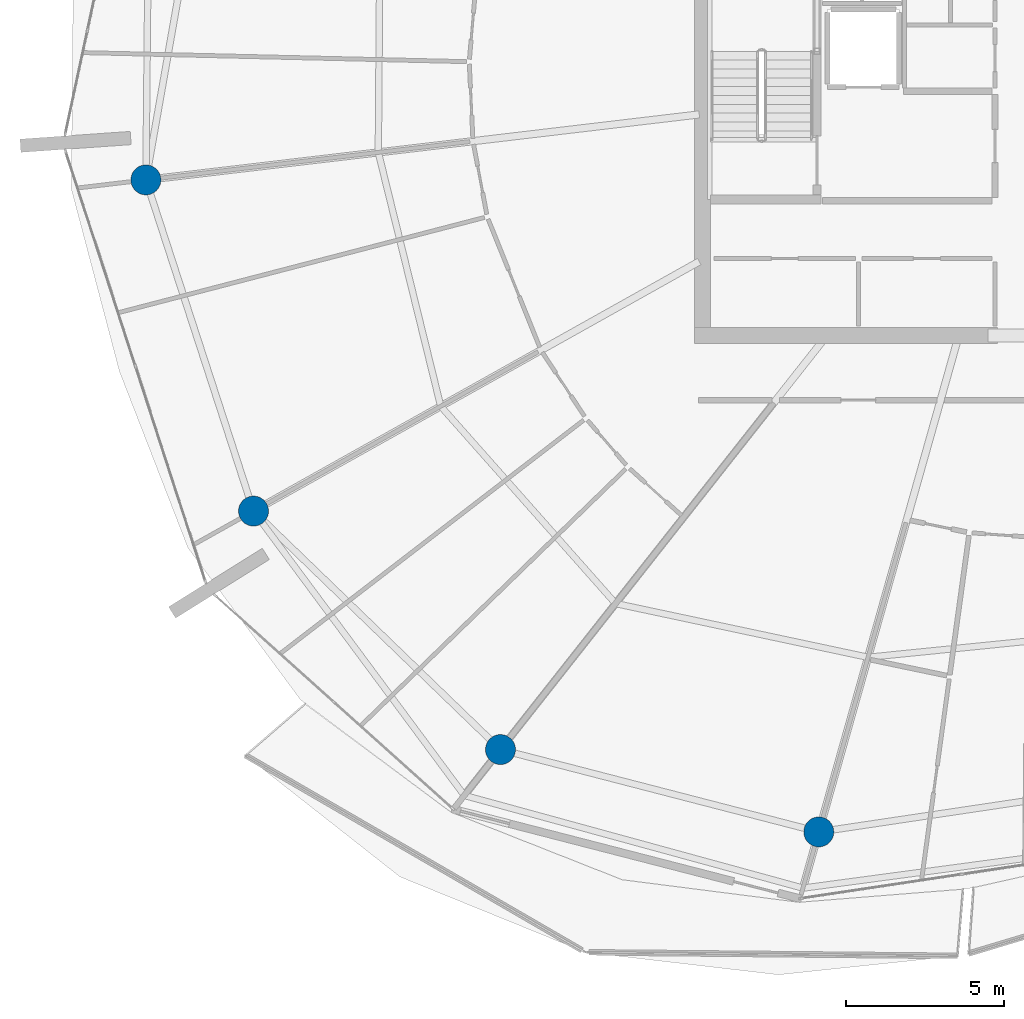
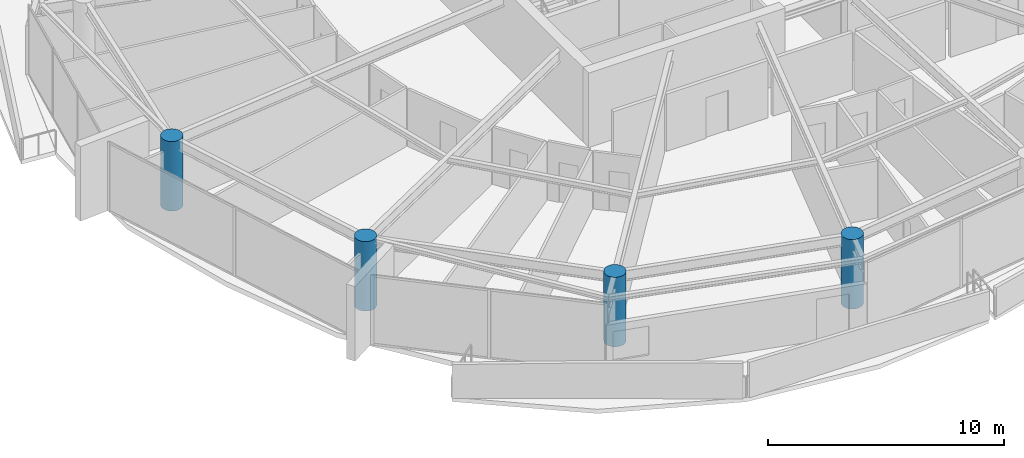
# One storey, part 1 of 31: 4 columns.
"""IFC4 building model written with IfcOpenShell, lengths in metres."""

from ifc_helpers import new_model, si_unit, direction, frame, origin, origin_2d, place, context, subcontext, project, spatial, circle, extrude, material, material_profile, profile_set, type_object, element, save


model = new_model("IFC4")

# Units and contexts
model_context = context("Model", 3, precision=1e-05, world=origin(), true_north=direction((0.0, 1.0)))
body_context = subcontext(model_context, "Body", "Model", "MODEL_VIEW")
ifc_project = project(units=[si_unit("LENGTHUNIT", "METRE"), si_unit("AREAUNIT", "SQUARE_METRE"), si_unit("VOLUMEUNIT", "CUBIC_METRE"), si_unit("PLANEANGLEUNIT", "RADIAN"), si_unit("MASSUNIT", "GRAM", prefix="KILO")], contexts=[model_context])

# Site, building, storey
site_placement = place(None, origin())
site = spatial("IfcSite", under=ifc_project, at=site_placement, CompositionType="ELEMENT")
building_placement = place(site_placement, origin())
building = spatial("IfcBuilding", under=site, at=building_placement, Name="Kazma Halo Residences", CompositionType="ELEMENT")
storey_placement = place(building_placement, frame((0.0, 0.0, 275.199951171875)))
storey = spatial("IfcBuildingStorey", under=building, at=storey_placement, Name="L69", CompositionType="ELEMENT", Elevation=275.199951171875)

# Columns
ifc_material = material(Name="Concrete C60/75", Category="concrete")
ifc_material_profile = material_profile(ifc_material, circle(Radius=0.47509765625, at=origin_2d()), Name="CIRC950")
ifc_profile_set = profile_set([ifc_material_profile], Name="Concrete C60/75")
column_type = type_object("IfcColumnType", Name="COL-PERIM-950", PredefinedType="COLUMN", material=ifc_profile_set)
for number, where, z_axis, x_axis, name in (
    (1, (19.92041015625, 38.676513671875, 0.0), (0.0, 0.0, 1.0), (1.0, 0.0, 0.0), "L69 perimeter ring column P08"),
    (2, (23.32958984375, 28.18408203125, 0.0), (0.0, 0.0, 1.0), (1.0, 0.0, 0.0), "L69 perimeter ring column P09"),
    (3, (31.15283203125, 20.62939453125, 0.0), (0.0, 0.0, 1.0), (1.0, 0.0, 0.0), "L69 perimeter ring column P10"),
    (4, (41.237060546875, 18.0205078125, 0.0), (0.0, 0.0, 1.0), (1.0, 0.0, 0.0), "L69 perimeter ring column P11"),
):
    element("IfcColumn", number, at=place(storey_placement, frame(where, z_axis=z_axis, x_axis=x_axis)), inside=storey, type_object=column_type, Name=name, PredefinedType="COLUMN", context=body_context, shape_type="SweptSolid", body=[
        extrude(circle(Radius=0.47509765625, at=origin_2d()), origin(), (0.0, 0.0, 1.0), 3.590087890625),
    ])

save(model, "model.ifc")
